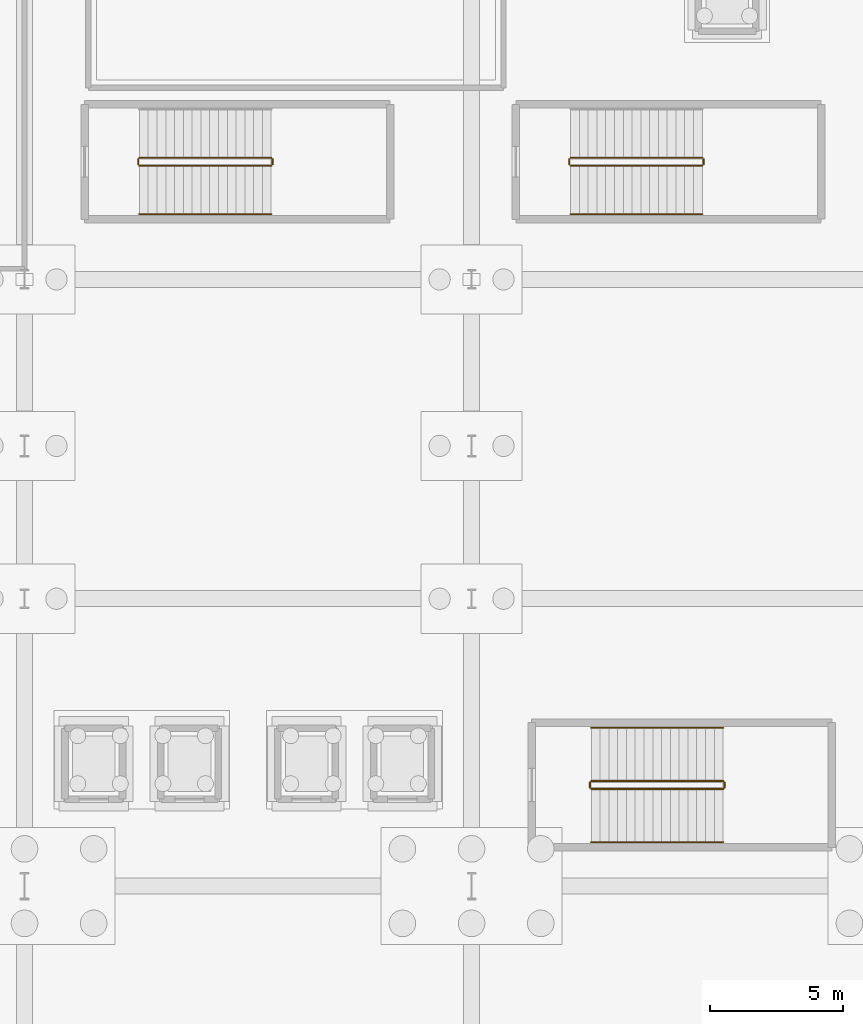
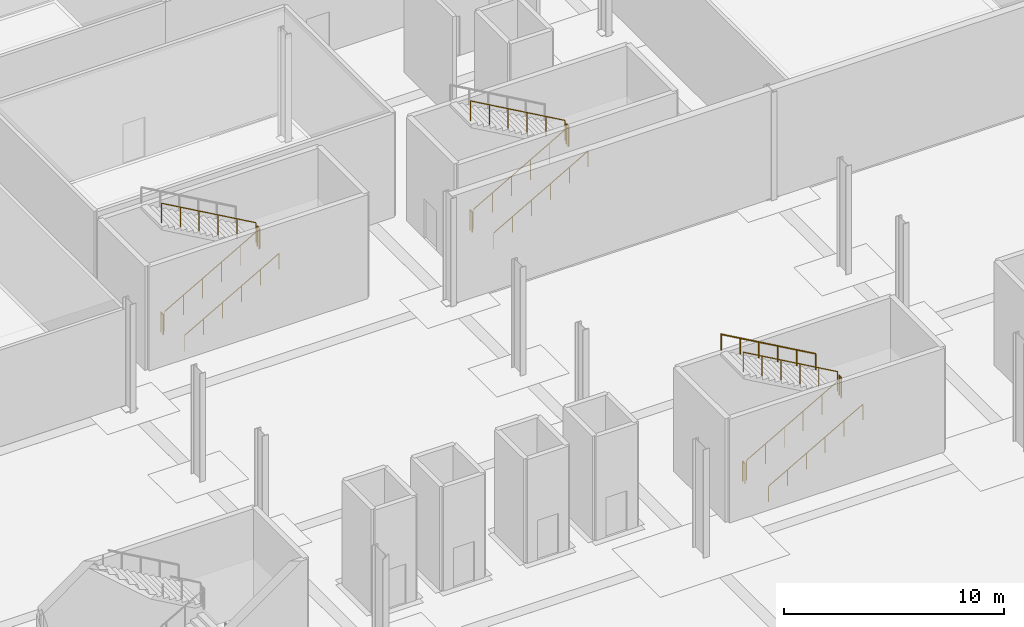
# One storey, part 41 of 46: 16 railings.
"""IFC4 building model written with IfcOpenShell, lengths in metres."""

from ifc_helpers import new_model, si_unit, direction, frame, origin, origin_2d, place, context, subcontext, project, spatial, circle, extrude, material, type_object, element, save


model = new_model("IFC4")

# Units and contexts
model_context = context("Model", 3, precision=1e-05, world=origin(), true_north=direction((0.0, 1.0)))
body_context = subcontext(model_context, "Body", "Model", "MODEL_VIEW")
ifc_project = project(units=[si_unit("LENGTHUNIT", "METRE"), si_unit("AREAUNIT", "SQUARE_METRE"), si_unit("VOLUMEUNIT", "CUBIC_METRE"), si_unit("PLANEANGLEUNIT", "RADIAN"), si_unit("MASSUNIT", "GRAM", prefix="KILO")], contexts=[model_context])

# Site, building, storey
site_placement = place(None, origin())
site = spatial("IfcSite", under=ifc_project, at=site_placement, CompositionType="ELEMENT")
building_placement = place(site_placement, origin())
building = spatial("IfcBuilding", under=site, at=building_placement, Name="Kimbaza Rail Terminus", CompositionType="ELEMENT")
storey_placement = place(building_placement, frame((0.0, 0.0, -6.0)))
storey = spatial("IfcBuildingStorey", under=building, at=storey_placement, Name="B1", CompositionType="ELEMENT", Elevation=-6.0)

# Railings
ifc_material_1 = material(Name="Brushed stainless steel handrail", Category="steel")
railing_type_1 = type_object("IfcRailingType", Name="ARC-RL-HND92", PredefinedType="HANDRAIL", material=ifc_material_1)
railing_1_placement = place(storey_placement, frame((109.919921875, 105.449951171875, 0.1875)))
element("IfcRailing", 1, at=railing_1_placement, inside=storey, type_object=railing_type_1, Name="B1 ST-M1 stair handrail 1", PredefinedType="HANDRAIL", context=body_context, shape_type="SweptSolid", body=[
    extrude(circle(Radius=0.02392578125, at=origin_2d()), frame((0.0, 0.0, 0.8759765625), z_axis=(0.869464929287, 0.0, 0.493994672785), x_axis=(0.0, 1.0, 0.0)), (0.0, 0.0, 1.0), 5.693359375),
    extrude(circle(Radius=0.02099609375, at=origin_2d()), origin(), (0.0, 0.0, 1.0), 0.851806640625),
    extrude(circle(Radius=0.02099609375, at=origin_2d()), frame((0.989990234375, 0.0, 0.5625)), (0.0, 0.0, 1.0), 0.851806640625),
    extrude(circle(Radius=0.02099609375, at=origin_2d()), frame((1.97998046875, 0.0, 1.125)), (0.0, 0.0, 1.0), 0.851806640625),
    extrude(circle(Radius=0.02099609375, at=origin_2d()), frame((2.97021484375, 0.0, 1.6875)), (0.0, 0.0, 1.0), 0.851806640625),
    extrude(circle(Radius=0.02099609375, at=origin_2d()), frame((3.960205078125, 0.0, 2.25)), (0.0, 0.0, 1.0), 0.851806640625),
    extrude(circle(Radius=0.02099609375, at=origin_2d()), frame((4.9501953125, 0.0, 2.8125)), (0.0, 0.0, 1.0), 0.851806640625),
])
railing_2_placement = place(storey_placement, frame((126.1201171875, 105.449951171875, 0.1875)))
element("IfcRailing", 2, at=railing_2_placement, inside=storey, type_object=railing_type_1, Name="B1 ST-E1 stair handrail 1", PredefinedType="HANDRAIL", context=body_context, shape_type="SweptSolid", body=[
    extrude(circle(Radius=0.02392578125, at=origin_2d()), frame((0.0, 0.0, 0.8759765625), z_axis=(0.869454464302, 0.0, 0.494013091431), x_axis=(0.0, 1.0, 0.0)), (0.0, 0.0, 1.0), 5.693115234375),
    extrude(circle(Radius=0.02099609375, at=origin_2d()), origin(), (0.0, 0.0, 1.0), 0.851806640625),
    extrude(circle(Radius=0.02099609375, at=origin_2d()), frame((0.989990234375, 0.0, 0.5625)), (0.0, 0.0, 1.0), 0.851806640625),
    extrude(circle(Radius=0.02099609375, at=origin_2d()), frame((1.97998046875, 0.0, 1.125)), (0.0, 0.0, 1.0), 0.851806640625),
    extrude(circle(Radius=0.02099609375, at=origin_2d()), frame((2.969970703125, 0.0, 1.6875)), (0.0, 0.0, 1.0), 0.851806640625),
    extrude(circle(Radius=0.02099609375, at=origin_2d()), frame((3.9599609375, 0.0, 2.25)), (0.0, 0.0, 1.0), 0.851806640625),
    extrude(circle(Radius=0.02099609375, at=origin_2d()), frame((4.949951171875, 0.0, 2.8125)), (0.0, 0.0, 1.0), 0.851806640625),
])
railing_3_placement = place(storey_placement, frame((126.89990234375, 81.85009765625, 0.1875)))
element("IfcRailing", 3, at=railing_3_placement, inside=storey, type_object=railing_type_1, Name="B1 ST-C4 stair handrail 1", PredefinedType="HANDRAIL", context=body_context, shape_type="SweptSolid", body=[
    extrude(circle(Radius=0.02392578125, at=origin_2d()), frame((0.0, 0.0, 0.8759765625), z_axis=(0.869464929287, 0.0, 0.493994672785), x_axis=(0.0, 1.0, 0.0)), (0.0, 0.0, 1.0), 5.693359375),
    extrude(circle(Radius=0.02099609375, at=origin_2d()), origin(), (0.0, 0.0, 1.0), 0.851806640625),
    extrude(circle(Radius=0.02099609375, at=origin_2d()), frame((0.989990234375, 0.0, 0.5625)), (0.0, 0.0, 1.0), 0.851806640625),
    extrude(circle(Radius=0.02099609375, at=origin_2d()), frame((1.97998046875, 0.0, 1.125)), (0.0, 0.0, 1.0), 0.851806640625),
    extrude(circle(Radius=0.02099609375, at=origin_2d()), frame((2.97021484375, 0.0, 1.6875)), (0.0, 0.0, 1.0), 0.851806640625),
    extrude(circle(Radius=0.02099609375, at=origin_2d()), frame((3.960205078125, 0.0, 2.25)), (0.0, 0.0, 1.0), 0.851806640625),
    extrude(circle(Radius=0.02099609375, at=origin_2d()), frame((4.9501953125, 0.0, 2.8125)), (0.0, 0.0, 1.0), 0.851806640625),
])
railing_4_placement = place(storey_placement, frame((131.85009765625, 86.14990234375, 3.1875)))
element("IfcRailing", 4, at=railing_4_placement, inside=storey, type_object=railing_type_1, Name="B1 ST-C4 stair handrail 2", PredefinedType="HANDRAIL", context=body_context, shape_type="SweptSolid", body=[
    extrude(circle(Radius=0.02392578125, at=origin_2d()), frame((0.0, 0.0, 0.8759765625), z_axis=(-0.869464929287, 0.0, 0.493994672785), x_axis=(0.0, -1.0, 0.0)), (0.0, 0.0, 1.0), 5.693359375),
    extrude(circle(Radius=0.02099609375, at=origin_2d()), origin(), (0.0, 0.0, 1.0), 0.851806640625),
    extrude(circle(Radius=0.02099609375, at=origin_2d()), frame((-0.989990234375, 0.0, 0.5625)), (0.0, 0.0, 1.0), 0.851806640625),
    extrude(circle(Radius=0.02099609375, at=origin_2d()), frame((-1.97998046875, 0.0, 1.125)), (0.0, 0.0, 1.0), 0.851806640625),
    extrude(circle(Radius=0.02099609375, at=origin_2d()), frame((-2.97021484375, 0.0, 1.6875)), (0.0, 0.0, 1.0), 0.851806640625),
    extrude(circle(Radius=0.02099609375, at=origin_2d()), frame((-3.960205078125, 0.0, 2.25)), (0.0, 0.0, 1.0), 0.851806640625),
    extrude(circle(Radius=0.02099609375, at=origin_2d()), frame((-4.9501953125, 0.0, 2.8125)), (0.0, 0.0, 1.0), 0.851806640625),
])
ifc_material_2 = material(Name="Painted tubular steel stair well guard", Category="steel")
railing_type_2 = type_object("IfcRailingType", Name="ARC-RL-STGRD", PredefinedType="GUARDRAIL", material=ifc_material_2)
railing_5_placement = place(storey_placement, frame((109.919921875, 107.27001953125, 0.1875)))
element("IfcRailing", 5, at=railing_5_placement, inside=storey, type_object=railing_type_2, Name="B1 ST-M1 stair guard 1", PredefinedType="GUARDRAIL", context=body_context, shape_type="SweptSolid", body=[
    extrude(circle(Radius=0.02392578125, at=origin_2d()), frame((0.0, 0.0, 1.09619140625), z_axis=(0.869464929287, 0.0, 0.493994672785), x_axis=(0.0, 1.0, 0.0)), (0.0, 0.0, 1.0), 5.693359375),
    extrude(circle(Radius=0.02099609375, at=origin_2d()), origin(), (0.0, 0.0, 1.0), 1.072021484375),
    extrude(circle(Radius=0.02099609375, at=origin_2d()), frame((0.989990234375, 0.0, 0.5625)), (0.0, 0.0, 1.0), 1.072021484375),
    extrude(circle(Radius=0.02099609375, at=origin_2d()), frame((1.97998046875, 0.0, 1.125)), (0.0, 0.0, 1.0), 1.072021484375),
    extrude(circle(Radius=0.02099609375, at=origin_2d()), frame((2.97021484375, 0.0, 1.6875)), (0.0, 0.0, 1.0), 1.072021484375),
    extrude(circle(Radius=0.02099609375, at=origin_2d()), frame((3.960205078125, 0.0, 2.25)), (0.0, 0.0, 1.0), 1.072021484375),
    extrude(circle(Radius=0.02099609375, at=origin_2d()), frame((4.9501953125, 0.0, 2.8125)), (0.0, 0.0, 1.0), 1.072021484375),
])
railing_6_placement = place(storey_placement, frame((114.919921875, 107.320068359375, 3.0)))
element("IfcRailing", 6, at=railing_6_placement, inside=storey, type_object=railing_type_2, Name="B1 ST-M1 stair guard 2", PredefinedType="GUARDRAIL", context=body_context, shape_type="SweptSolid", body=[
    extrude(circle(Radius=0.02392578125, at=origin_2d()), frame((0.0, 0.0, 1.09619140625), z_axis=(0.0, 1.0, 0.0), x_axis=(-1.0, 0.0, 0.0)), (0.0, 0.0, 1.0), 0.199951171875),
    extrude(circle(Radius=0.02099609375, at=origin_2d()), origin(), (0.0, 0.0, 1.0), 1.072021484375),
    extrude(circle(Radius=0.02099609375, at=origin_2d()), frame((0.0, 0.199951171875, 0.0)), (0.0, 0.0, 1.0), 1.072021484375),
])
railing_7_placement = place(storey_placement, frame((114.8701171875, 107.570068359375, 3.1875)))
element("IfcRailing", 7, at=railing_7_placement, inside=storey, type_object=railing_type_2, Name="B1 ST-M1 stair guard 3", PredefinedType="GUARDRAIL", context=body_context, shape_type="SweptSolid", body=[
    extrude(circle(Radius=0.02392578125, at=origin_2d()), frame((0.0, 0.0, 1.09619140625), z_axis=(-0.869464929287, 0.0, 0.493994672785), x_axis=(0.0, -1.0, 0.0)), (0.0, 0.0, 1.0), 5.693359375),
    extrude(circle(Radius=0.02099609375, at=origin_2d()), origin(), (0.0, 0.0, 1.0), 1.072021484375),
    extrude(circle(Radius=0.02099609375, at=origin_2d()), frame((-0.989990234375, 0.0, 0.5625)), (0.0, 0.0, 1.0), 1.072021484375),
    extrude(circle(Radius=0.02099609375, at=origin_2d()), frame((-1.97998046875, 0.0, 1.125)), (0.0, 0.0, 1.0), 1.072021484375),
    extrude(circle(Radius=0.02099609375, at=origin_2d()), frame((-2.97021484375, 0.0, 1.6875)), (0.0, 0.0, 1.0), 1.072021484375),
    extrude(circle(Radius=0.02099609375, at=origin_2d()), frame((-3.960205078125, 0.0, 2.25)), (0.0, 0.0, 1.0), 1.072021484375),
    extrude(circle(Radius=0.02099609375, at=origin_2d()), frame((-4.9501953125, 0.0, 2.8125)), (0.0, 0.0, 1.0), 1.072021484375),
])
railing_8_placement = place(storey_placement, frame((109.8701171875, 107.320068359375, 0.0)))
element("IfcRailing", 8, at=railing_8_placement, inside=storey, type_object=railing_type_2, Name="B1 ST-M1 stair guard 4", PredefinedType="GUARDRAIL", context=body_context, shape_type="SweptSolid", body=[
    extrude(circle(Radius=0.02392578125, at=origin_2d()), frame((0.0, 0.0, 1.09619140625), z_axis=(0.0, 1.0, 0.0), x_axis=(-1.0, 0.0, 0.0)), (0.0, 0.0, 1.0), 0.199951171875),
    extrude(circle(Radius=0.02099609375, at=origin_2d()), origin(), (0.0, 0.0, 1.0), 1.072021484375),
    extrude(circle(Radius=0.02099609375, at=origin_2d()), frame((0.0, 0.199951171875, 0.0)), (0.0, 0.0, 1.0), 1.072021484375),
])
railing_9_placement = place(storey_placement, frame((126.1201171875, 107.27001953125, 0.1875)))
element("IfcRailing", 9, at=railing_9_placement, inside=storey, type_object=railing_type_2, Name="B1 ST-E1 stair guard 1", PredefinedType="GUARDRAIL", context=body_context, shape_type="SweptSolid", body=[
    extrude(circle(Radius=0.02392578125, at=origin_2d()), frame((0.0, 0.0, 1.09619140625), z_axis=(0.869454464302, 0.0, 0.494013091431), x_axis=(0.0, 1.0, 0.0)), (0.0, 0.0, 1.0), 5.693115234375),
    extrude(circle(Radius=0.02099609375, at=origin_2d()), origin(), (0.0, 0.0, 1.0), 1.072021484375),
    extrude(circle(Radius=0.02099609375, at=origin_2d()), frame((0.989990234375, 0.0, 0.5625)), (0.0, 0.0, 1.0), 1.072021484375),
    extrude(circle(Radius=0.02099609375, at=origin_2d()), frame((1.97998046875, 0.0, 1.125)), (0.0, 0.0, 1.0), 1.072021484375),
    extrude(circle(Radius=0.02099609375, at=origin_2d()), frame((2.969970703125, 0.0, 1.6875)), (0.0, 0.0, 1.0), 1.072021484375),
    extrude(circle(Radius=0.02099609375, at=origin_2d()), frame((3.9599609375, 0.0, 2.25)), (0.0, 0.0, 1.0), 1.072021484375),
    extrude(circle(Radius=0.02099609375, at=origin_2d()), frame((4.949951171875, 0.0, 2.8125)), (0.0, 0.0, 1.0), 1.072021484375),
])
railing_10_placement = place(storey_placement, frame((131.1201171875, 107.320068359375, 3.0)))
element("IfcRailing", 10, at=railing_10_placement, inside=storey, type_object=railing_type_2, Name="B1 ST-E1 stair guard 2", PredefinedType="GUARDRAIL", context=body_context, shape_type="SweptSolid", body=[
    extrude(circle(Radius=0.02392578125, at=origin_2d()), frame((0.0, 0.0, 1.09619140625), z_axis=(0.0, 1.0, 0.0), x_axis=(-1.0, 0.0, 0.0)), (0.0, 0.0, 1.0), 0.199951171875),
    extrude(circle(Radius=0.02099609375, at=origin_2d()), origin(), (0.0, 0.0, 1.0), 1.072021484375),
    extrude(circle(Radius=0.02099609375, at=origin_2d()), frame((0.0, 0.199951171875, 0.0)), (0.0, 0.0, 1.0), 1.072021484375),
])
railing_11_placement = place(storey_placement, frame((131.070068359375, 107.570068359375, 3.1875)))
element("IfcRailing", 11, at=railing_11_placement, inside=storey, type_object=railing_type_2, Name="B1 ST-E1 stair guard 3", PredefinedType="GUARDRAIL", context=body_context, shape_type="SweptSolid", body=[
    extrude(circle(Radius=0.02392578125, at=origin_2d()), frame((0.0, 0.0, 1.09619140625), z_axis=(-0.869454464302, 0.0, 0.494013091431), x_axis=(0.0, -1.0, 0.0)), (0.0, 0.0, 1.0), 5.693115234375),
    extrude(circle(Radius=0.02099609375, at=origin_2d()), origin(), (0.0, 0.0, 1.0), 1.072021484375),
    extrude(circle(Radius=0.02099609375, at=origin_2d()), frame((-0.989990234375, 0.0, 0.5625)), (0.0, 0.0, 1.0), 1.072021484375),
    extrude(circle(Radius=0.02099609375, at=origin_2d()), frame((-1.97998046875, 0.0, 1.125)), (0.0, 0.0, 1.0), 1.072021484375),
    extrude(circle(Radius=0.02099609375, at=origin_2d()), frame((-2.969970703125, 0.0, 1.6875)), (0.0, 0.0, 1.0), 1.072021484375),
    extrude(circle(Radius=0.02099609375, at=origin_2d()), frame((-3.9599609375, 0.0, 2.25)), (0.0, 0.0, 1.0), 1.072021484375),
    extrude(circle(Radius=0.02099609375, at=origin_2d()), frame((-4.949951171875, 0.0, 2.8125)), (0.0, 0.0, 1.0), 1.072021484375),
])
railing_12_placement = place(storey_placement, frame((126.070068359375, 107.320068359375, 0.0)))
element("IfcRailing", 12, at=railing_12_placement, inside=storey, type_object=railing_type_2, Name="B1 ST-E1 stair guard 4", PredefinedType="GUARDRAIL", context=body_context, shape_type="SweptSolid", body=[
    extrude(circle(Radius=0.02392578125, at=origin_2d()), frame((0.0, 0.0, 1.09619140625), z_axis=(0.0, 1.0, 0.0), x_axis=(-1.0, 0.0, 0.0)), (0.0, 0.0, 1.0), 0.199951171875),
    extrude(circle(Radius=0.02099609375, at=origin_2d()), origin(), (0.0, 0.0, 1.0), 1.072021484375),
    extrude(circle(Radius=0.02099609375, at=origin_2d()), frame((0.0, 0.199951171875, 0.0)), (0.0, 0.0, 1.0), 1.072021484375),
])
railing_13_placement = place(storey_placement, frame((126.89990234375, 83.85009765625, 0.1875)))
element("IfcRailing", 13, at=railing_13_placement, inside=storey, type_object=railing_type_2, Name="B1 ST-C4 stair guard 1", PredefinedType="GUARDRAIL", context=body_context, shape_type="SweptSolid", body=[
    extrude(circle(Radius=0.02392578125, at=origin_2d()), frame((0.0, 0.0, 1.09619140625), z_axis=(0.869464929287, 0.0, 0.493994672785), x_axis=(0.0, 1.0, 0.0)), (0.0, 0.0, 1.0), 5.693359375),
    extrude(circle(Radius=0.02099609375, at=origin_2d()), origin(), (0.0, 0.0, 1.0), 1.072021484375),
    extrude(circle(Radius=0.02099609375, at=origin_2d()), frame((0.989990234375, 0.0, 0.5625)), (0.0, 0.0, 1.0), 1.072021484375),
    extrude(circle(Radius=0.02099609375, at=origin_2d()), frame((1.97998046875, 0.0, 1.125)), (0.0, 0.0, 1.0), 1.072021484375),
    extrude(circle(Radius=0.02099609375, at=origin_2d()), frame((2.97021484375, 0.0, 1.6875)), (0.0, 0.0, 1.0), 1.072021484375),
    extrude(circle(Radius=0.02099609375, at=origin_2d()), frame((3.960205078125, 0.0, 2.25)), (0.0, 0.0, 1.0), 1.072021484375),
    extrude(circle(Radius=0.02099609375, at=origin_2d()), frame((4.9501953125, 0.0, 2.8125)), (0.0, 0.0, 1.0), 1.072021484375),
])
railing_14_placement = place(storey_placement, frame((131.89990234375, 83.89990234375, 3.0)))
element("IfcRailing", 14, at=railing_14_placement, inside=storey, type_object=railing_type_2, Name="B1 ST-C4 stair guard 2", PredefinedType="GUARDRAIL", context=body_context, shape_type="SweptSolid", body=[
    extrude(circle(Radius=0.02392578125, at=origin_2d()), frame((0.0, 0.0, 1.09619140625), z_axis=(0.0, 1.0, 0.0), x_axis=(-1.0, 0.0, 0.0)), (0.0, 0.0, 1.0), 0.2001953125),
    extrude(circle(Radius=0.02099609375, at=origin_2d()), origin(), (0.0, 0.0, 1.0), 1.072021484375),
    extrude(circle(Radius=0.02099609375, at=origin_2d()), frame((0.0, 0.2001953125, 0.0)), (0.0, 0.0, 1.0), 1.072021484375),
])
railing_15_placement = place(storey_placement, frame((131.85009765625, 84.14990234375, 3.1875)))
element("IfcRailing", 15, at=railing_15_placement, inside=storey, type_object=railing_type_2, Name="B1 ST-C4 stair guard 3", PredefinedType="GUARDRAIL", context=body_context, shape_type="SweptSolid", body=[
    extrude(circle(Radius=0.02392578125, at=origin_2d()), frame((0.0, 0.0, 1.09619140625), z_axis=(-0.869464929287, 0.0, 0.493994672785), x_axis=(0.0, -1.0, 0.0)), (0.0, 0.0, 1.0), 5.693359375),
    extrude(circle(Radius=0.02099609375, at=origin_2d()), origin(), (0.0, 0.0, 1.0), 1.072021484375),
    extrude(circle(Radius=0.02099609375, at=origin_2d()), frame((-0.989990234375, 0.0, 0.5625)), (0.0, 0.0, 1.0), 1.072021484375),
    extrude(circle(Radius=0.02099609375, at=origin_2d()), frame((-1.97998046875, 0.0, 1.125)), (0.0, 0.0, 1.0), 1.072021484375),
    extrude(circle(Radius=0.02099609375, at=origin_2d()), frame((-2.97021484375, 0.0, 1.6875)), (0.0, 0.0, 1.0), 1.072021484375),
    extrude(circle(Radius=0.02099609375, at=origin_2d()), frame((-3.960205078125, 0.0, 2.25)), (0.0, 0.0, 1.0), 1.072021484375),
    extrude(circle(Radius=0.02099609375, at=origin_2d()), frame((-4.9501953125, 0.0, 2.8125)), (0.0, 0.0, 1.0), 1.072021484375),
])
railing_16_placement = place(storey_placement, frame((126.85009765625, 83.89990234375, 0.0)))
element("IfcRailing", 16, at=railing_16_placement, inside=storey, type_object=railing_type_2, Name="B1 ST-C4 stair guard 4", PredefinedType="GUARDRAIL", context=body_context, shape_type="SweptSolid", body=[
    extrude(circle(Radius=0.02392578125, at=origin_2d()), frame((0.0, 0.0, 1.09619140625), z_axis=(0.0, 1.0, 0.0), x_axis=(-1.0, 0.0, 0.0)), (0.0, 0.0, 1.0), 0.2001953125),
    extrude(circle(Radius=0.02099609375, at=origin_2d()), origin(), (0.0, 0.0, 1.0), 1.072021484375),
    extrude(circle(Radius=0.02099609375, at=origin_2d()), frame((0.0, 0.2001953125, 0.0)), (0.0, 0.0, 1.0), 1.072021484375),
])

save(model, "model.ifc")
